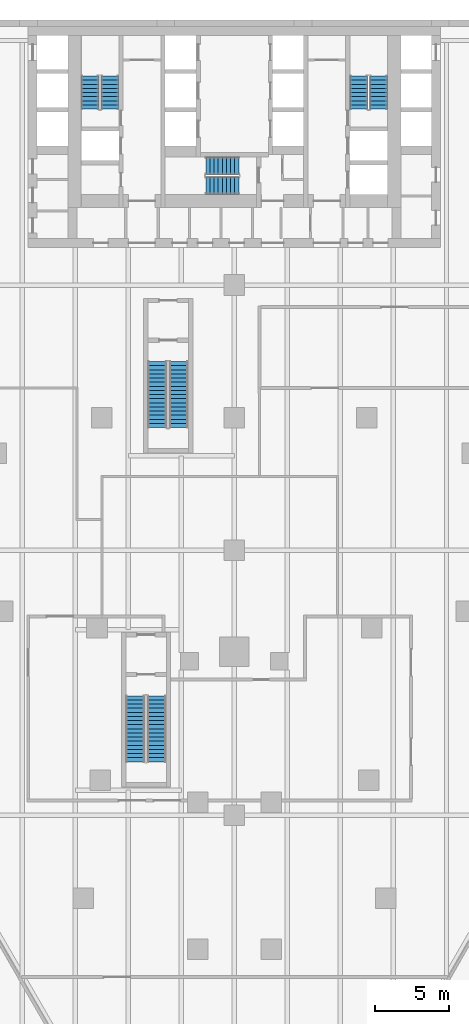
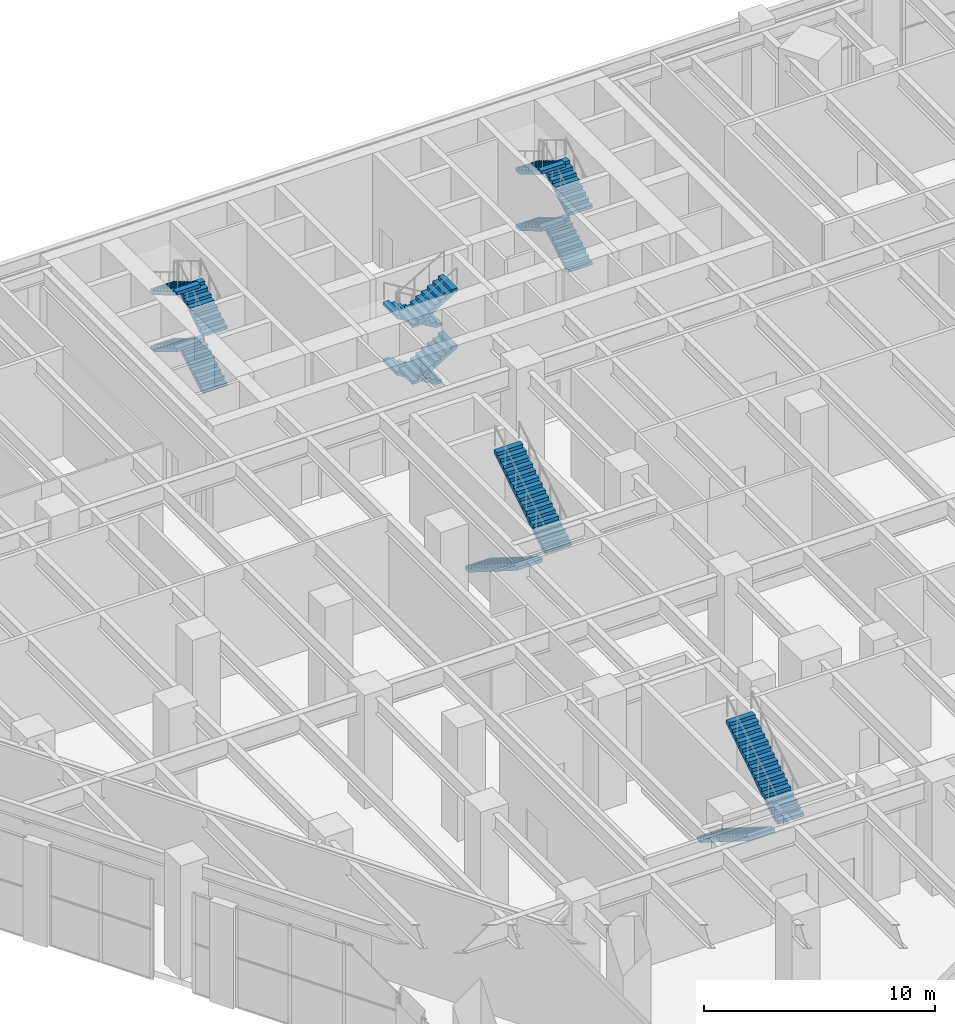
# One storey, part 35 of 37: 16 stair flights, 5 elements without a shape of their own.
"""IFC4 building model written with IfcOpenShell, lengths in metres."""

import ifcopenshell
import ifcopenshell.guid

model = None  # the IFC model being written
_history = None  # IfcOwnerHistory: only IFC2X3 demands one
_inside = {}  # id of a spatial element -> (the spatial element, [elements in it])
_under = {}  # id of a project, library or spatial element -> (it, [spatial elements below it])
_declared = {}  # id of a project -> (the project, [libraries it declares])
_typed = {}  # id of a type object -> (the type object, [elements of that type])
_made_of = {}  # id of a material, layer set ... -> (it, [elements and type objects made of it])


def new_model(schema):
    """Start an empty IFC model of exactly this schema.

    Asked for "IFC4X3", IfcOpenShell would pick the latest addendum, in which some entities
    have other attributes; the version numbers below select the first issue.
    IFC2X3 requires an IfcOwnerHistory on every rooted entity: one is made here for all.
    """
    global model, _history
    if schema == "IFC4X3":
        model = ifcopenshell.file(schema_version=(4, 3, 0, 0))
    else:
        model = ifcopenshell.file(schema=schema)
    _inside.clear()
    _under.clear()
    _declared.clear()
    _typed.clear()
    _made_of.clear()
    _history = None
    if model.schema == "IFC2X3":
        org = make("IfcOrganization", Name="unknown")
        user = make(
            "IfcPersonAndOrganization",
            ThePerson=make("IfcPerson", FamilyName="unknown"),
            TheOrganization=org,
        )
        app = make(
            "IfcApplication",
            ApplicationDeveloper=org,
            Version="unknown",
            ApplicationFullName="unknown",
            ApplicationIdentifier="unknown",
        )
        _history = make(
            "IfcOwnerHistory",
            OwningUser=user,
            OwningApplication=app,
            ChangeAction="ADDED",
            CreationDate=0,
        )
    return model


def make(cls, **values):
    """One entity of the class cls with the attributes given. An attribute that is None is left unset."""
    return model.create_entity(
        cls, **{name: value for name, value in values.items() if value is not None}
    )


def rooted(cls, **values):
    """An entity with a GlobalId (a new one), such as an element, a storey or a relation."""
    return make(cls, GlobalId=ifcopenshell.guid.new(), OwnerHistory=_history, **values)


def si_unit(unit_type, name, prefix=None):
    """IfcSIUnit, for example si_unit("LENGTHUNIT", "METRE", prefix="MILLI")."""
    return make("IfcSIUnit", UnitType=unit_type, Prefix=prefix, Name=name)


def assignment(units):
    """IfcUnitAssignment: the units of a project."""
    return None if units is None else make("IfcUnitAssignment", Units=units)


def point(xyz):
    """IfcCartesianPoint."""
    return None if xyz is None else make("IfcCartesianPoint", Coordinates=xyz)


def direction(xyz):
    """IfcDirection."""
    return None if xyz is None else make("IfcDirection", DirectionRatios=xyz)


def frame(location, z_axis=None, x_axis=None):
    """IfcAxis2Placement3D, a coordinate frame: its origin and axes. An axis left out is left unset."""
    return make(
        "IfcAxis2Placement3D",
        Location=point(location),
        Axis=direction(z_axis),
        RefDirection=direction(x_axis),
    )


def origin():
    """The frame at (0, 0, 0) with its axes left unset."""
    return frame((0.0, 0.0, 0.0))


def place(relative_to, where):
    """IfcLocalPlacement: puts the frame where relative to a parent placement (None: the world)."""
    return make(
        "IfcLocalPlacement", PlacementRelTo=relative_to, RelativePlacement=where
    )


def context(
    kind, dimensions, precision=None, world=None, true_north=None, identifier=None
):
    """IfcGeometricRepresentationContext, for example the 3D "Model" context."""
    return make(
        "IfcGeometricRepresentationContext",
        ContextIdentifier=identifier,
        ContextType=kind,
        CoordinateSpaceDimension=dimensions,
        Precision=precision,
        WorldCoordinateSystem=world,
        TrueNorth=true_north,
    )


def subcontext(parent, identifier, kind, view, scale=None):
    """IfcGeometricRepresentationSubContext, for example "Body" below "Model"."""
    return make(
        "IfcGeometricRepresentationSubContext",
        ContextIdentifier=identifier,
        ContextType=kind,
        ParentContext=parent,
        TargetScale=scale,
        TargetView=view,
    )


def project(units=None, contexts=None):
    """IfcProject with its units and contexts."""
    return rooted(
        "IfcProject",
        Name="project",
        RepresentationContexts=contexts,
        UnitsInContext=assignment(units),
    )


def spatial(cls, under=None, at=None, **own):
    """A site, building, storey or space (cls), placed at a placement, below another one or the project."""
    s = rooted(cls, ObjectPlacement=at, **own)
    if under is not None:
        _under.setdefault(under.id(), (under, []))[1].append(s)
    return s


def polyline(points):
    """IfcPolyline through the points."""
    return make("IfcPolyline", Points=[point(p) for p in points])


def outline(outer, holes=None, kind="AREA"):
    """IfcArbitraryClosedProfileDef: a profile drawn as a closed curve; with holes, ...WithVoids."""
    if holes is None:
        return make("IfcArbitraryClosedProfileDef", ProfileType=kind, OuterCurve=outer)
    return make(
        "IfcArbitraryProfileDefWithVoids",
        ProfileType=kind,
        OuterCurve=outer,
        InnerCurves=holes,
    )


def extrude(swept, where, along, depth):
    """IfcExtrudedAreaSolid: the profile swept, set in the frame where, extruded along a direction by depth."""
    return make(
        "IfcExtrudedAreaSolid",
        SweptArea=swept,
        Position=where,
        ExtrudedDirection=direction(along),
        Depth=depth,
    )


def shape(context_of_items, identifier, shape_type, items):
    """IfcShapeRepresentation: the items that make up one representation, for example the "Body"."""
    return make(
        "IfcShapeRepresentation",
        ContextOfItems=context_of_items,
        RepresentationIdentifier=identifier,
        RepresentationType=shape_type,
        Items=items,
    )


def material(Name=None, Category=None):
    """IfcMaterial."""
    return make("IfcMaterial", Name=Name, Category=Category)


def made_of(thing, what):
    """Note that an element or type object is made of a material, layer set ...; save() writes the relation."""
    if what is not None:
        _made_of.setdefault(what.id(), (what, []))[1].append(thing)
    return thing


def type_object(cls, material=None, **own):
    """A type object (cls), such as IfcWallType, which elements share."""
    return made_of(rooted(cls, **own), material)


def element(
    cls,
    number,
    at=None,
    inside=None,
    cuts=None,
    type_object=None,
    material=None,
    context=None,
    identifier="Body",
    shape_type=None,
    held_by="IfcProductDefinitionShape",
    body=None,
    shapes=None,
    **own,
):
    """One element of the class cls, such as IfcWall. Its Tag is "e" and its number.

    at: its placement. inside: the storey or other place that contains it. cuts: it is an
    opening in that element (IfcRelVoidsElement). A single representation is given by context,
    identifier, shape_type and body (its items); several are given by shapes. held_by: the class
    of the entity that holds the representations. save() writes the other relations.
    """
    e = rooted(cls, Tag="e%d" % number, ObjectPlacement=at, **own)
    if body is not None:
        shapes = [shape(context, identifier, shape_type, body)]
    if shapes is not None:
        e.Representation = make(held_by, Representations=shapes)
    if inside is not None:
        _inside.setdefault(inside.id(), (inside, []))[1].append(e)
    if cuts is not None:
        rooted(
            "IfcRelVoidsElement", RelatingBuildingElement=cuts, RelatedOpeningElement=e
        )
    if type_object is not None:
        _typed.setdefault(type_object.id(), (type_object, []))[1].append(e)
    return made_of(e, material)


def aggregate(whole, parts):
    """IfcRelAggregates: a whole, such as a stair, and the parts it consists of."""
    return rooted("IfcRelAggregates", RelatingObject=whole, RelatedObjects=parts)


def save(model, path):
    """Write the relations noted so far, then the file.

    IfcRelAggregates (storeys below a building ...), IfcRelContainedInSpatialStructure (elements
    in a storey), IfcRelDefinesByType, IfcRelAssociatesMaterial and IfcRelDeclares: one each for
    every whole, place, type object, material and project.
    """
    for whole, parts in _under.values():
        aggregate(whole, parts)
    for where, things in _inside.values():
        rooted(
            "IfcRelContainedInSpatialStructure",
            RelatedElements=things,
            RelatingStructure=where,
        )
    for kind, things in _typed.values():
        rooted("IfcRelDefinesByType", RelatedObjects=things, RelatingType=kind)
    for what, things in _made_of.values():
        rooted("IfcRelAssociatesMaterial", RelatedObjects=things, RelatingMaterial=what)
    for by, libraries in _declared.values():
        rooted("IfcRelDeclares", RelatingContext=by, RelatedDefinitions=libraries)
    model.write(path)


model = new_model("IFC4")

# Units and contexts
model_context = context("Model", 3, precision=1e-05, world=origin(), true_north=direction((0.0, 1.0)))
body_context = subcontext(model_context, "Body", "Model", "MODEL_VIEW")
ifc_project = project(units=[si_unit("LENGTHUNIT", "METRE"), si_unit("AREAUNIT", "SQUARE_METRE"), si_unit("VOLUMEUNIT", "CUBIC_METRE"), si_unit("PLANEANGLEUNIT", "RADIAN"), si_unit("MASSUNIT", "GRAM", prefix="KILO")], contexts=[model_context])

# Site, building, storey
site_placement = place(None, origin())
site = spatial("IfcSite", under=ifc_project, at=site_placement, CompositionType="ELEMENT")
building_placement = place(site_placement, origin())
building = spatial("IfcBuilding", under=site, at=building_placement, Name="Aloe Facet Convention Tower", CompositionType="ELEMENT")
storey_placement = place(building_placement, frame((0.0, 0.0, 7.5)))
storey = spatial("IfcBuildingStorey", under=building, at=storey_placement, Name="L01", CompositionType="ELEMENT", Elevation=7.5)

# Stair, stair flights
ifc_material_1 = material(Name="Concrete C50/60", Category="concrete")
stair_type_1 = type_object("IfcStairType", Name="CR-ST-34R-W1300", PredefinedType="HALF_TURN_STAIR", material=ifc_material_1)
stair_1_placement = place(storey_placement, origin())
stair_1 = element("IfcStair", 1, at=stair_1_placement, inside=storey, type_object=stair_type_1, Name="L01 Protected exit stair ST4", PredefinedType="HALF_TURN_STAIR")
ifc_material_2 = material(Name="Concrete C50/60", Category="concrete")
stair_flight_type_1 = type_object("IfcStairFlightType", Name="CR-SFL-34R-W1300", PredefinedType="STRAIGHT", material=ifc_material_2)
stair_flight_1_placement = place(storey_placement, frame((73.27490234375, 89.10009765625, 0.0), z_axis=(0.0, 0.0, 1.0), x_axis=(0.0, -1.0, 0.0)))
stair_flight_1 = element("IfcStairFlight", 2, at=stair_flight_1_placement, type_object=stair_flight_type_1, Name="ST4 flight 1", NumberOfRisers=17, NumberOfTreads=16, PredefinedType="STRAIGHT", RiserHeight=0.176470588, TreadLength=0.28, context=body_context, shape_type="SweptSolid", body=[
    extrude(outline(polyline([(0.0, 0.0), (0.0, 0.176513671875), (0.280029296875, 0.176513671875), (0.280029296875, 0.35302734375), (0.56005859375, 0.35302734375), (0.56005859375, 0.529296875), (0.840087890625, 0.529296875), (0.840087890625, 0.705810546875), (1.1201171875, 0.705810546875), (1.1201171875, 0.88232421875), (1.39990234375, 0.88232421875), (1.39990234375, 1.058837890625), (1.679931640625, 1.058837890625), (1.679931640625, 1.2353515625), (1.9599609375, 1.2353515625), (1.9599609375, 1.411865234375), (2.239990234375, 1.411865234375), (2.239990234375, 1.588134765625), (2.52001953125, 1.588134765625), (2.52001953125, 1.7646484375), (2.800048828125, 1.7646484375), (2.800048828125, 1.941162109375), (3.080078125, 1.941162109375), (3.080078125, 2.11767578125), (3.360107421875, 2.11767578125), (3.360107421875, 2.294189453125), (3.639892578125, 2.294189453125), (3.639892578125, 2.470703125), (3.919921875, 2.470703125), (3.919921875, 2.64697265625), (4.199951171875, 2.64697265625), (4.199951171875, 2.823486328125), (4.47998046875, 2.823486328125), (4.47998046875, 3.0), (4.47998046875, 2.646240234375), (0.28125, 0.0), (0.0, 0.0)])), frame((0.0, 0.64990234375, 0.0), z_axis=(0.0, -1.0, 0.0), x_axis=(1.0, 0.0, 0.0)), (0.0, 0.0, 1.0), 1.300048828125),
])
stair_flight_2_placement = place(storey_placement, frame((74.72509765625, 84.6201171875, 3.0), z_axis=(0.0, 0.0, 1.0), x_axis=(0.0, 1.0, 0.0)))
stair_flight_2 = element("IfcStairFlight", 3, at=stair_flight_2_placement, type_object=stair_flight_type_1, Name="ST4 flight 2", NumberOfRisers=17, NumberOfTreads=16, PredefinedType="STRAIGHT", RiserHeight=0.176470588, TreadLength=0.28, context=body_context, shape_type="SweptSolid", body=[
    extrude(outline(polyline([(0.0, 0.0), (0.0, 0.176513671875), (0.280029296875, 0.176513671875), (0.280029296875, 0.35302734375), (0.56005859375, 0.35302734375), (0.56005859375, 0.529296875), (0.840087890625, 0.529296875), (0.840087890625, 0.705810546875), (1.1201171875, 0.705810546875), (1.1201171875, 0.88232421875), (1.39990234375, 0.88232421875), (1.39990234375, 1.058837890625), (1.679931640625, 1.058837890625), (1.679931640625, 1.2353515625), (1.9599609375, 1.2353515625), (1.9599609375, 1.411865234375), (2.239990234375, 1.411865234375), (2.239990234375, 1.588134765625), (2.52001953125, 1.588134765625), (2.52001953125, 1.7646484375), (2.800048828125, 1.7646484375), (2.800048828125, 1.941162109375), (3.080078125, 1.941162109375), (3.080078125, 2.11767578125), (3.360107421875, 2.11767578125), (3.360107421875, 2.294189453125), (3.639892578125, 2.294189453125), (3.639892578125, 2.470703125), (3.919921875, 2.470703125), (3.919921875, 2.64697265625), (4.199951171875, 2.64697265625), (4.199951171875, 2.823486328125), (4.47998046875, 2.823486328125), (4.47998046875, 3.0), (4.47998046875, 2.646240234375), (0.28125, 0.0), (0.0, 0.0)])), frame((0.0, 0.64990234375, 0.0), z_axis=(0.0, -1.0, 0.0), x_axis=(1.0, 0.0, 0.0)), (0.0, 0.0, 1.0), 1.300048828125),
])
aggregate(stair_1, [stair_flight_1, stair_flight_2])

stair_2_placement = place(storey_placement, origin())
stair_2 = element("IfcStair", 4, at=stair_2_placement, inside=storey, type_object=stair_type_1, Name="L01 Protected exit stair ST5", PredefinedType="HALF_TURN_STAIR")
stair_flight_3_placement = place(storey_placement, frame((74.77490234375, 111.800048828125, 0.0), z_axis=(0.0, 0.0, 1.0), x_axis=(0.0, -1.0, 0.0)))
stair_flight_3 = element("IfcStairFlight", 5, at=stair_flight_3_placement, type_object=stair_flight_type_1, Name="ST5 flight 1", NumberOfRisers=17, NumberOfTreads=16, PredefinedType="STRAIGHT", RiserHeight=0.176470588, TreadLength=0.28, context=body_context, shape_type="SweptSolid", body=[
    extrude(outline(polyline([(0.0, 0.0), (0.0, 0.176513671875), (0.280029296875, 0.176513671875), (0.280029296875, 0.35302734375), (0.56005859375, 0.35302734375), (0.56005859375, 0.529296875), (0.840087890625, 0.529296875), (0.840087890625, 0.705810546875), (1.1201171875, 0.705810546875), (1.1201171875, 0.88232421875), (1.39990234375, 0.88232421875), (1.39990234375, 1.058837890625), (1.679931640625, 1.058837890625), (1.679931640625, 1.2353515625), (1.9599609375, 1.2353515625), (1.9599609375, 1.411865234375), (2.239990234375, 1.411865234375), (2.239990234375, 1.588134765625), (2.52001953125, 1.588134765625), (2.52001953125, 1.7646484375), (2.800048828125, 1.7646484375), (2.800048828125, 1.941162109375), (3.080078125, 1.941162109375), (3.080078125, 2.11767578125), (3.360107421875, 2.11767578125), (3.360107421875, 2.294189453125), (3.639892578125, 2.294189453125), (3.639892578125, 2.470703125), (3.919921875, 2.470703125), (3.919921875, 2.64697265625), (4.199951171875, 2.64697265625), (4.199951171875, 2.823486328125), (4.47998046875, 2.823486328125), (4.47998046875, 3.0), (4.47998046875, 2.646240234375), (0.28125, 0.0), (0.0, 0.0)])), frame((0.0, 0.64990234375, 0.0), z_axis=(0.0, -1.0, 0.0), x_axis=(1.0, 0.0, 0.0)), (0.0, 0.0, 1.0), 1.300048828125),
])
stair_flight_4_placement = place(storey_placement, frame((76.22509765625, 107.320068359375, 3.0), z_axis=(0.0, 0.0, 1.0), x_axis=(0.0, 1.0, 0.0)))
stair_flight_4 = element("IfcStairFlight", 6, at=stair_flight_4_placement, type_object=stair_flight_type_1, Name="ST5 flight 2", NumberOfRisers=17, NumberOfTreads=16, PredefinedType="STRAIGHT", RiserHeight=0.176470588, TreadLength=0.28, context=body_context, shape_type="SweptSolid", body=[
    extrude(outline(polyline([(0.0, 0.0), (0.0, 0.176513671875), (0.280029296875, 0.176513671875), (0.280029296875, 0.35302734375), (0.56005859375, 0.35302734375), (0.56005859375, 0.529296875), (0.840087890625, 0.529296875), (0.840087890625, 0.705810546875), (1.1201171875, 0.705810546875), (1.1201171875, 0.88232421875), (1.39990234375, 0.88232421875), (1.39990234375, 1.058837890625), (1.679931640625, 1.058837890625), (1.679931640625, 1.2353515625), (1.9599609375, 1.2353515625), (1.9599609375, 1.411865234375), (2.239990234375, 1.411865234375), (2.239990234375, 1.588134765625), (2.52001953125, 1.588134765625), (2.52001953125, 1.7646484375), (2.800048828125, 1.7646484375), (2.800048828125, 1.941162109375), (3.080078125, 1.941162109375), (3.080078125, 2.11767578125), (3.360107421875, 2.11767578125), (3.360107421875, 2.294189453125), (3.639892578125, 2.294189453125), (3.639892578125, 2.470703125), (3.919921875, 2.470703125), (3.919921875, 2.64697265625), (4.199951171875, 2.64697265625), (4.199951171875, 2.823486328125), (4.47998046875, 2.823486328125), (4.47998046875, 3.0), (4.47998046875, 2.646240234375), (0.28125, 0.0), (0.0, 0.0)])), frame((0.0, 0.64990234375, 0.0), z_axis=(0.0, -1.0, 0.0), x_axis=(1.0, 0.0, 0.0)), (0.0, 0.0, 1.0), 1.300048828125),
])
aggregate(stair_2, [stair_flight_3, stair_flight_4])

ifc_material_3 = material(Name="Concrete C50/60", Category="concrete")
stair_type_2 = type_object("IfcStairType", Name="CR-ST-36R", PredefinedType="HALF_TURN_STAIR", material=ifc_material_3)
stair_3_placement = place(storey_placement, origin())
stair_3 = element("IfcStair", 7, at=stair_3_placement, inside=storey, type_object=stair_type_2, Name="L01 Protected exit stair ST1", PredefinedType="HALF_TURN_STAIR")
ifc_material_4 = material(Name="Concrete C50/60", Category="concrete")
stair_flight_type_2 = type_object("IfcStairFlightType", Name="CR-SFL-36R", PredefinedType="STRAIGHT", material=ifc_material_4)
stair_flight_5_placement = place(storey_placement, frame((71.550048828125, 128.949951171875, 0.0), z_axis=(0.0, 0.0, 1.0), x_axis=(0.0, 1.0, 0.0)))
stair_flight_5 = element("IfcStairFlight", 8, at=stair_flight_5_placement, type_object=stair_flight_type_2, Name="ST1 flight 1", NumberOfRisers=9, NumberOfTreads=8, PredefinedType="STRAIGHT", RiserHeight=0.166666667, TreadLength=0.28, context=body_context, shape_type="SweptSolid", body=[
    extrude(outline(polyline([(0.0, 0.0), (0.0, 0.166748046875), (0.280029296875, 0.166748046875), (0.280029296875, 0.333251953125), (0.56005859375, 0.333251953125), (0.56005859375, 0.5), (0.840087890625, 0.5), (0.840087890625, 0.666748046875), (1.1201171875, 0.666748046875), (1.1201171875, 0.833251953125), (1.39990234375, 0.833251953125), (1.39990234375, 1.0), (1.679931640625, 1.0), (1.679931640625, 1.166748046875), (1.9599609375, 1.166748046875), (1.9599609375, 1.333251953125), (2.239990234375, 1.333251953125), (2.239990234375, 1.5), (2.239990234375, 1.158935546875), (0.29296875, 0.0), (0.0, 0.0)])), frame((0.0, 0.60009765625, 0.0), z_axis=(0.0, -1.0, 0.0), x_axis=(1.0, 0.0, 0.0)), (0.0, 0.0, 1.0), 1.199951171875),
])
stair_flight_6_placement = place(storey_placement, frame((70.199951171875, 131.18994140625, 1.5), z_axis=(0.0, 0.0, 1.0), x_axis=(0.0, -1.0, 0.0)))
stair_flight_6 = element("IfcStairFlight", 9, at=stair_flight_6_placement, type_object=stair_flight_type_2, Name="ST1 flight 2", NumberOfRisers=9, NumberOfTreads=8, PredefinedType="STRAIGHT", RiserHeight=0.166666667, TreadLength=0.28, context=body_context, shape_type="SweptSolid", body=[
    extrude(outline(polyline([(0.0, 0.0), (0.0, 0.166748046875), (0.280029296875, 0.166748046875), (0.280029296875, 0.333251953125), (0.56005859375, 0.333251953125), (0.56005859375, 0.5), (0.840087890625, 0.5), (0.840087890625, 0.666748046875), (1.1201171875, 0.666748046875), (1.1201171875, 0.833251953125), (1.39990234375, 0.833251953125), (1.39990234375, 1.0), (1.679931640625, 1.0), (1.679931640625, 1.166748046875), (1.9599609375, 1.166748046875), (1.9599609375, 1.333251953125), (2.239990234375, 1.333251953125), (2.239990234375, 1.5), (2.239990234375, 1.158935546875), (0.29296875, 0.0), (0.0, 0.0)])), frame((0.0, 0.60009765625, 0.0), z_axis=(0.0, -1.0, 0.0), x_axis=(1.0, 0.0, 0.0)), (0.0, 0.0, 1.0), 1.199951171875),
])
stair_flight_7_placement = place(storey_placement, frame((71.550048828125, 128.949951171875, 3.0), z_axis=(0.0, 0.0, 1.0), x_axis=(0.0, 1.0, 0.0)))
stair_flight_7 = element("IfcStairFlight", 10, at=stair_flight_7_placement, type_object=stair_flight_type_2, Name="ST1 flight 3", NumberOfRisers=9, NumberOfTreads=8, PredefinedType="STRAIGHT", RiserHeight=0.166666667, TreadLength=0.28, context=body_context, shape_type="SweptSolid", body=[
    extrude(outline(polyline([(0.0, 0.0), (0.0, 0.166748046875), (0.280029296875, 0.166748046875), (0.280029296875, 0.333251953125), (0.56005859375, 0.333251953125), (0.56005859375, 0.5), (0.840087890625, 0.5), (0.840087890625, 0.666748046875), (1.1201171875, 0.666748046875), (1.1201171875, 0.833251953125), (1.39990234375, 0.833251953125), (1.39990234375, 1.0), (1.679931640625, 1.0), (1.679931640625, 1.166748046875), (1.9599609375, 1.166748046875), (1.9599609375, 1.333251953125), (2.239990234375, 1.333251953125), (2.239990234375, 1.5), (2.239990234375, 1.158935546875), (0.29296875, 0.0), (0.0, 0.0)])), frame((0.0, 0.60009765625, 0.0), z_axis=(0.0, -1.0, 0.0), x_axis=(1.0, 0.0, 0.0)), (0.0, 0.0, 1.0), 1.199951171875),
])
stair_flight_8_placement = place(storey_placement, frame((70.199951171875, 131.18994140625, 4.5), z_axis=(0.0, 0.0, 1.0), x_axis=(0.0, -1.0, 0.0)))
stair_flight_8 = element("IfcStairFlight", 11, at=stair_flight_8_placement, type_object=stair_flight_type_2, Name="ST1 flight 4", NumberOfRisers=9, NumberOfTreads=8, PredefinedType="STRAIGHT", RiserHeight=0.166666667, TreadLength=0.28, context=body_context, shape_type="SweptSolid", body=[
    extrude(outline(polyline([(0.0, 0.0), (0.0, 0.166748046875), (0.280029296875, 0.166748046875), (0.280029296875, 0.333251953125), (0.56005859375, 0.333251953125), (0.56005859375, 0.5), (0.840087890625, 0.5), (0.840087890625, 0.666748046875), (1.1201171875, 0.666748046875), (1.1201171875, 0.833251953125), (1.39990234375, 0.833251953125), (1.39990234375, 1.0), (1.679931640625, 1.0), (1.679931640625, 1.166748046875), (1.9599609375, 1.166748046875), (1.9599609375, 1.333251953125), (2.239990234375, 1.333251953125), (2.239990234375, 1.5), (2.239990234375, 1.158935546875), (0.29296875, 0.0), (0.0, 0.0)])), frame((0.0, 0.60009765625, 0.0), z_axis=(0.0, -1.0, 0.0), x_axis=(1.0, 0.0, 0.0)), (0.0, 0.0, 1.0), 1.199951171875),
])
aggregate(stair_3, [stair_flight_5, stair_flight_6, stair_flight_7, stair_flight_8])

stair_4_placement = place(storey_placement, origin())
stair_4 = element("IfcStair", 12, at=stair_4_placement, inside=storey, type_object=stair_type_2, Name="L01 Protected exit stair ST2", PredefinedType="HALF_TURN_STAIR")
stair_flight_9_placement = place(storey_placement, frame((89.800048828125, 128.949951171875, 0.0), z_axis=(0.0, 0.0, 1.0), x_axis=(0.0, 1.0, 0.0)))
stair_flight_9 = element("IfcStairFlight", 13, at=stair_flight_9_placement, type_object=stair_flight_type_2, Name="ST2 flight 1", NumberOfRisers=9, NumberOfTreads=8, PredefinedType="STRAIGHT", RiserHeight=0.166666667, TreadLength=0.28, context=body_context, shape_type="SweptSolid", body=[
    extrude(outline(polyline([(0.0, 0.0), (0.0, 0.166748046875), (0.280029296875, 0.166748046875), (0.280029296875, 0.333251953125), (0.56005859375, 0.333251953125), (0.56005859375, 0.5), (0.840087890625, 0.5), (0.840087890625, 0.666748046875), (1.1201171875, 0.666748046875), (1.1201171875, 0.833251953125), (1.39990234375, 0.833251953125), (1.39990234375, 1.0), (1.679931640625, 1.0), (1.679931640625, 1.166748046875), (1.9599609375, 1.166748046875), (1.9599609375, 1.333251953125), (2.239990234375, 1.333251953125), (2.239990234375, 1.5), (2.239990234375, 1.158935546875), (0.29296875, 0.0), (0.0, 0.0)])), frame((0.0, 0.60009765625, 0.0), z_axis=(0.0, -1.0, 0.0), x_axis=(1.0, 0.0, 0.0)), (0.0, 0.0, 1.0), 1.199951171875),
])
stair_flight_10_placement = place(storey_placement, frame((88.449951171875, 131.18994140625, 1.5), z_axis=(0.0, 0.0, 1.0), x_axis=(0.0, -1.0, 0.0)))
stair_flight_10 = element("IfcStairFlight", 14, at=stair_flight_10_placement, type_object=stair_flight_type_2, Name="ST2 flight 2", NumberOfRisers=9, NumberOfTreads=8, PredefinedType="STRAIGHT", RiserHeight=0.166666667, TreadLength=0.28, context=body_context, shape_type="SweptSolid", body=[
    extrude(outline(polyline([(0.0, 0.0), (0.0, 0.166748046875), (0.280029296875, 0.166748046875), (0.280029296875, 0.333251953125), (0.56005859375, 0.333251953125), (0.56005859375, 0.5), (0.840087890625, 0.5), (0.840087890625, 0.666748046875), (1.1201171875, 0.666748046875), (1.1201171875, 0.833251953125), (1.39990234375, 0.833251953125), (1.39990234375, 1.0), (1.679931640625, 1.0), (1.679931640625, 1.166748046875), (1.9599609375, 1.166748046875), (1.9599609375, 1.333251953125), (2.239990234375, 1.333251953125), (2.239990234375, 1.5), (2.239990234375, 1.158935546875), (0.29296875, 0.0), (0.0, 0.0)])), frame((0.0, 0.60009765625, 0.0), z_axis=(0.0, -1.0, 0.0), x_axis=(1.0, 0.0, 0.0)), (0.0, 0.0, 1.0), 1.199951171875),
])
stair_flight_11_placement = place(storey_placement, frame((89.800048828125, 128.949951171875, 3.0), z_axis=(0.0, 0.0, 1.0), x_axis=(0.0, 1.0, 0.0)))
stair_flight_11 = element("IfcStairFlight", 15, at=stair_flight_11_placement, type_object=stair_flight_type_2, Name="ST2 flight 3", NumberOfRisers=9, NumberOfTreads=8, PredefinedType="STRAIGHT", RiserHeight=0.166666667, TreadLength=0.28, context=body_context, shape_type="SweptSolid", body=[
    extrude(outline(polyline([(0.0, 0.0), (0.0, 0.166748046875), (0.280029296875, 0.166748046875), (0.280029296875, 0.333251953125), (0.56005859375, 0.333251953125), (0.56005859375, 0.5), (0.840087890625, 0.5), (0.840087890625, 0.666748046875), (1.1201171875, 0.666748046875), (1.1201171875, 0.833251953125), (1.39990234375, 0.833251953125), (1.39990234375, 1.0), (1.679931640625, 1.0), (1.679931640625, 1.166748046875), (1.9599609375, 1.166748046875), (1.9599609375, 1.333251953125), (2.239990234375, 1.333251953125), (2.239990234375, 1.5), (2.239990234375, 1.158935546875), (0.29296875, 0.0), (0.0, 0.0)])), frame((0.0, 0.60009765625, 0.0), z_axis=(0.0, -1.0, 0.0), x_axis=(1.0, 0.0, 0.0)), (0.0, 0.0, 1.0), 1.199951171875),
])
stair_flight_12_placement = place(storey_placement, frame((88.449951171875, 131.18994140625, 4.5), z_axis=(0.0, 0.0, 1.0), x_axis=(0.0, -1.0, 0.0)))
stair_flight_12 = element("IfcStairFlight", 16, at=stair_flight_12_placement, type_object=stair_flight_type_2, Name="ST2 flight 4", NumberOfRisers=9, NumberOfTreads=8, PredefinedType="STRAIGHT", RiserHeight=0.166666667, TreadLength=0.28, context=body_context, shape_type="SweptSolid", body=[
    extrude(outline(polyline([(0.0, 0.0), (0.0, 0.166748046875), (0.280029296875, 0.166748046875), (0.280029296875, 0.333251953125), (0.56005859375, 0.333251953125), (0.56005859375, 0.5), (0.840087890625, 0.5), (0.840087890625, 0.666748046875), (1.1201171875, 0.666748046875), (1.1201171875, 0.833251953125), (1.39990234375, 0.833251953125), (1.39990234375, 1.0), (1.679931640625, 1.0), (1.679931640625, 1.166748046875), (1.9599609375, 1.166748046875), (1.9599609375, 1.333251953125), (2.239990234375, 1.333251953125), (2.239990234375, 1.5), (2.239990234375, 1.158935546875), (0.29296875, 0.0), (0.0, 0.0)])), frame((0.0, 0.60009765625, 0.0), z_axis=(0.0, -1.0, 0.0), x_axis=(1.0, 0.0, 0.0)), (0.0, 0.0, 1.0), 1.199951171875),
])
aggregate(stair_4, [stair_flight_9, stair_flight_10, stair_flight_11, stair_flight_12])

stair_5_placement = place(storey_placement, origin())
stair_5 = element("IfcStair", 17, at=stair_5_placement, inside=storey, type_object=stair_type_2, Name="L01 Protected exit stair ST3", PredefinedType="HALF_TURN_STAIR")
stair_flight_13_placement = place(storey_placement, frame((80.300048828125, 125.10009765625, 0.0), z_axis=(0.0, 0.0, 1.0), x_axis=(-1.0, 0.0, 0.0)))
stair_flight_13 = element("IfcStairFlight", 18, at=stair_flight_13_placement, type_object=stair_flight_type_2, Name="ST3 flight 1", NumberOfRisers=9, NumberOfTreads=8, PredefinedType="STRAIGHT", RiserHeight=0.166666667, TreadLength=0.28, context=body_context, shape_type="SweptSolid", body=[
    extrude(outline(polyline([(0.0, 0.0), (0.0, 0.166748046875), (0.280029296875, 0.166748046875), (0.280029296875, 0.333251953125), (0.56005859375, 0.333251953125), (0.56005859375, 0.5), (0.840087890625, 0.5), (0.840087890625, 0.666748046875), (1.1201171875, 0.666748046875), (1.1201171875, 0.833251953125), (1.39990234375, 0.833251953125), (1.39990234375, 1.0), (1.679931640625, 1.0), (1.679931640625, 1.166748046875), (1.9599609375, 1.166748046875), (1.9599609375, 1.333251953125), (2.239990234375, 1.333251953125), (2.239990234375, 1.5), (2.239990234375, 1.158935546875), (0.29296875, 0.0), (0.0, 0.0)])), frame((0.0, 0.60009765625, 0.0), z_axis=(0.0, -1.0, 0.0), x_axis=(1.0, 0.0, 0.0)), (0.0, 0.0, 1.0), 1.199951171875),
])
stair_flight_14_placement = place(storey_placement, frame((78.06005859375, 123.75, 1.5), z_axis=(0.0, 0.0, 1.0), x_axis=(1.0, 0.0, 0.0)))
stair_flight_14 = element("IfcStairFlight", 19, at=stair_flight_14_placement, type_object=stair_flight_type_2, Name="ST3 flight 2", NumberOfRisers=9, NumberOfTreads=8, PredefinedType="STRAIGHT", RiserHeight=0.166666667, TreadLength=0.28, context=body_context, shape_type="SweptSolid", body=[
    extrude(outline(polyline([(0.0, 0.0), (0.0, 0.166748046875), (0.280029296875, 0.166748046875), (0.280029296875, 0.333251953125), (0.56005859375, 0.333251953125), (0.56005859375, 0.5), (0.840087890625, 0.5), (0.840087890625, 0.666748046875), (1.1201171875, 0.666748046875), (1.1201171875, 0.833251953125), (1.39990234375, 0.833251953125), (1.39990234375, 1.0), (1.679931640625, 1.0), (1.679931640625, 1.166748046875), (1.9599609375, 1.166748046875), (1.9599609375, 1.333251953125), (2.239990234375, 1.333251953125), (2.239990234375, 1.5), (2.239990234375, 1.158935546875), (0.29296875, 0.0), (0.0, 0.0)])), frame((0.0, 0.60009765625, 0.0), z_axis=(0.0, -1.0, 0.0), x_axis=(1.0, 0.0, 0.0)), (0.0, 0.0, 1.0), 1.199951171875),
])
stair_flight_15_placement = place(storey_placement, frame((80.300048828125, 125.10009765625, 3.0), z_axis=(0.0, 0.0, 1.0), x_axis=(-1.0, 0.0, 0.0)))
stair_flight_15 = element("IfcStairFlight", 20, at=stair_flight_15_placement, type_object=stair_flight_type_2, Name="ST3 flight 3", NumberOfRisers=9, NumberOfTreads=8, PredefinedType="STRAIGHT", RiserHeight=0.166666667, TreadLength=0.28, context=body_context, shape_type="SweptSolid", body=[
    extrude(outline(polyline([(0.0, 0.0), (0.0, 0.166748046875), (0.280029296875, 0.166748046875), (0.280029296875, 0.333251953125), (0.56005859375, 0.333251953125), (0.56005859375, 0.5), (0.840087890625, 0.5), (0.840087890625, 0.666748046875), (1.1201171875, 0.666748046875), (1.1201171875, 0.833251953125), (1.39990234375, 0.833251953125), (1.39990234375, 1.0), (1.679931640625, 1.0), (1.679931640625, 1.166748046875), (1.9599609375, 1.166748046875), (1.9599609375, 1.333251953125), (2.239990234375, 1.333251953125), (2.239990234375, 1.5), (2.239990234375, 1.158935546875), (0.29296875, 0.0), (0.0, 0.0)])), frame((0.0, 0.60009765625, 0.0), z_axis=(0.0, -1.0, 0.0), x_axis=(1.0, 0.0, 0.0)), (0.0, 0.0, 1.0), 1.199951171875),
])
stair_flight_16_placement = place(storey_placement, frame((78.06005859375, 123.75, 4.5), z_axis=(0.0, 0.0, 1.0), x_axis=(1.0, 0.0, 0.0)))
stair_flight_16 = element("IfcStairFlight", 21, at=stair_flight_16_placement, type_object=stair_flight_type_2, Name="ST3 flight 4", NumberOfRisers=9, NumberOfTreads=8, PredefinedType="STRAIGHT", RiserHeight=0.166666667, TreadLength=0.28, context=body_context, shape_type="SweptSolid", body=[
    extrude(outline(polyline([(0.0, 0.0), (0.0, 0.166748046875), (0.280029296875, 0.166748046875), (0.280029296875, 0.333251953125), (0.56005859375, 0.333251953125), (0.56005859375, 0.5), (0.840087890625, 0.5), (0.840087890625, 0.666748046875), (1.1201171875, 0.666748046875), (1.1201171875, 0.833251953125), (1.39990234375, 0.833251953125), (1.39990234375, 1.0), (1.679931640625, 1.0), (1.679931640625, 1.166748046875), (1.9599609375, 1.166748046875), (1.9599609375, 1.333251953125), (2.239990234375, 1.333251953125), (2.239990234375, 1.5), (2.239990234375, 1.158935546875), (0.29296875, 0.0), (0.0, 0.0)])), frame((0.0, 0.60009765625, 0.0), z_axis=(0.0, -1.0, 0.0), x_axis=(1.0, 0.0, 0.0)), (0.0, 0.0, 1.0), 1.199951171875),
])
aggregate(stair_5, [stair_flight_13, stair_flight_14, stair_flight_15, stair_flight_16])

save(model, "model.ifc")
